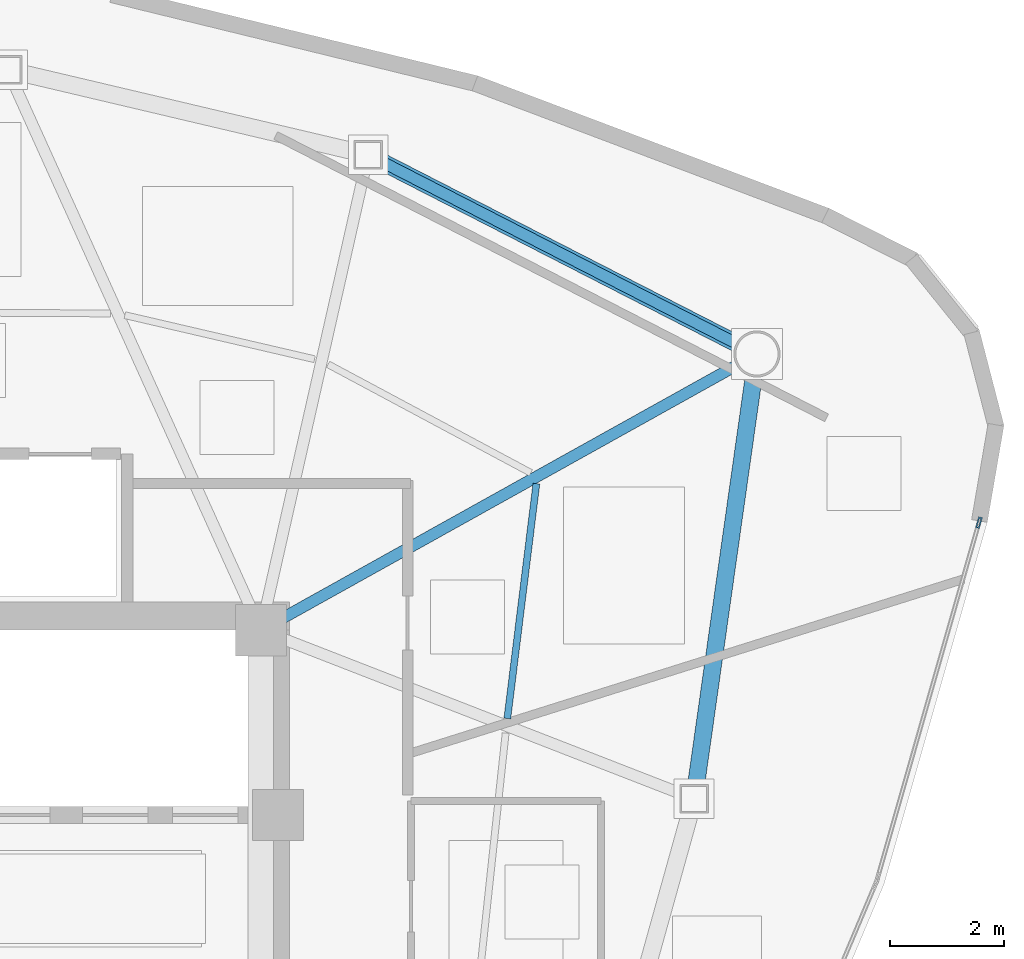
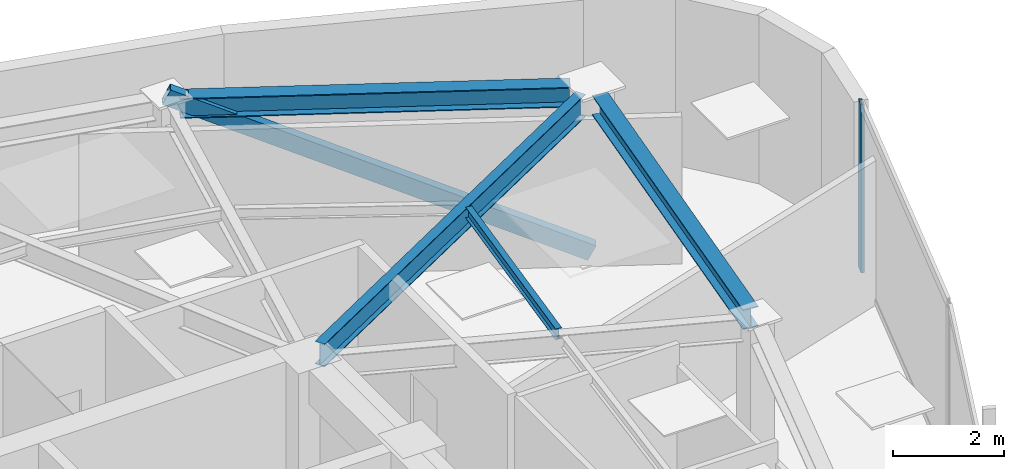
# One storey, part 6 of 12: 4 beams, 2 members, 1 element without a shape of its own.
"""IFC4 building model written with IfcOpenShell, lengths in metres."""

from ifc_helpers import new_model, si_unit, direction, frame, origin, origin_2d, place, context, subcontext, project, spatial, hollow_rectangle, i_section, extrude, source, transform, mapped, material, layer, layer_set, material_profile, profile_set, type_object, type_shapes, element, aggregate, save


model = new_model("IFC4")

# Units and contexts
model_context = context("Model", 3, precision=1e-05, world=origin(), true_north=direction((0.0, 1.0)))
body_context = subcontext(model_context, "Body", "Model", "MODEL_VIEW")
ifc_project = project(units=[si_unit("LENGTHUNIT", "METRE"), si_unit("AREAUNIT", "SQUARE_METRE"), si_unit("VOLUMEUNIT", "CUBIC_METRE"), si_unit("PLANEANGLEUNIT", "RADIAN"), si_unit("MASSUNIT", "GRAM", prefix="KILO")], contexts=[model_context])

# Site, building, storey
site_placement = place(None, origin())
site = spatial("IfcSite", under=ifc_project, at=site_placement, CompositionType="ELEMENT")
building_placement = place(site_placement, origin())
building = spatial("IfcBuilding", under=site, at=building_placement, Name="Tavelor Broadcast Tower", CompositionType="ELEMENT")
storey_placement = place(building_placement, frame((0.0, 0.0, 281.5)))
storey = spatial("IfcBuildingStorey", under=building, at=storey_placement, Name="L67", CompositionType="ELEMENT", Elevation=281.5)

# Beams
ifc_material_1 = material(Name="Steel S355", Category="steel")
ifc_material_profile_1 = material_profile(ifc_material_1, i_section(OverallWidth=0.1201171875, OverallDepth=0.239990234375, WebThickness=0.006103515625, FlangeThickness=0.009765625, at=origin_2d()), Name="IPE 240")
ifc_profile_set_1 = profile_set([ifc_material_profile_1], Name="Steel S355")
beam_type_1 = type_object("IfcBeamType", Name="Composite Floor Joist T7 IPE 240", PredefinedType="JOIST", material=ifc_profile_set_1)
beam_1_placement = place(storey_placement, frame((60.931884765625, 49.648681640625, 3.580078125), z_axis=(0.12271283089, 0.992442220552, 0.0), x_axis=(-0.992442220552, 0.12271283089, 0.0)))
element("IfcBeam", 1, at=beam_1_placement, inside=storey, type_object=beam_type_1, Name="L67 Secondary Composite Floor Joist 12", PredefinedType="JOIST", context=body_context, shape_type="SweptSolid", body=[
    extrude(i_section(OverallWidth=0.1201171875, OverallDepth=0.239990234375, WebThickness=0.006103515625, FlangeThickness=0.009765625, at=origin_2d()), origin(), (0.0, 0.0, 1.0), 4.16015625),
])
ifc_material_profile_2 = material_profile(ifc_material_1, i_section(OverallWidth=0.300048828125, OverallDepth=0.43994140625, WebThickness=0.011474609375, FlangeThickness=0.02099609375, at=origin_2d()), Name="HEA 450")
ifc_profile_set_2 = profile_set([ifc_material_profile_2], Name="Steel S355")
beam_type_2 = type_object("IfcBeamType", Name="Perimeter Spandrel Beam T7 HEA 450", PredefinedType="SPANDREL", material=ifc_profile_set_2)
beam_2_placement = place(storey_placement, frame((64.248046875, 48.47509765625, 3.47998046875), z_axis=(0.139953453654, 0.990158083747, 0.0), x_axis=(-0.990158083747, 0.139953453654, 0.0)))
element("IfcBeam", 2, at=beam_2_placement, inside=storey, type_object=beam_type_2, Name="L67 Framed-Tube Ring Spandrel 12", PredefinedType="SPANDREL", context=body_context, shape_type="SweptSolid", body=[
    extrude(i_section(OverallWidth=0.300048828125, OverallDepth=0.43994140625, WebThickness=0.011474609375, FlangeThickness=0.02099609375, at=origin_2d()), origin(), (0.0, 0.0, 1.0), 7.265625),
])
beam_3_placement = place(storey_placement, frame((64.97216796875, 56.2333984375, 3.47998046875), z_axis=(-0.889963826526, 0.456031125556, 0.0), x_axis=(-0.456031125556, -0.889963826526, 0.0)))
element("IfcBeam", 3, at=beam_3_placement, inside=storey, type_object=beam_type_2, Name="L67 Framed-Tube Ring Spandrel 13", PredefinedType="SPANDREL", context=body_context, shape_type="SweptSolid", body=[
    extrude(i_section(OverallWidth=0.300048828125, OverallDepth=0.43994140625, WebThickness=0.011474609375, FlangeThickness=0.02099609375, at=origin_2d()), origin(), (0.0, 0.0, 1.0), 7.048583984375),
])

# Member
ifc_material_profile_3 = material_profile(ifc_material_1, hollow_rectangle(XDim=0.199951171875, YDim=0.35009765625, WallThickness=0.01611328125, at=origin_2d()), Name="RHS 350x200x16")
ifc_profile_set_3 = profile_set([ifc_material_profile_3], Name="Steel S355")
member_type_1 = type_object("IfcMemberType", Name="Perimeter Tube Brace T7 RHS 350x200x16", PredefinedType="BRACE", material=ifc_profile_set_3)
member_1_placement = place(storey_placement, frame((65.319580078125, 56.0556640625, 0.0), z_axis=(-0.801763897696, 0.410792291396, 0.434078732123), x_axis=(-0.455992584505, -0.889983574498, 0.0)))
element("IfcMember", 4, at=member_1_placement, inside=storey, type_object=member_type_1, Name="L67 Corner Tube Diagonal Brace 3", PredefinedType="BRACE", context=body_context, shape_type="SweptSolid", body=[
    extrude(hollow_rectangle(XDim=0.199951171875, YDim=0.35009765625, WallThickness=0.01611328125, at=origin_2d()), origin(), (0.0, 0.0, 1.0), 8.523681640625),
])

# Beam
ifc_material_profile_4 = material_profile(ifc_material_1, i_section(OverallWidth=0.199951171875, OverallDepth=0.5, WebThickness=0.01025390625, FlangeThickness=0.01611328125, at=origin_2d()), Name="IPE 500")
ifc_profile_set_4 = profile_set([ifc_material_profile_4], Name="Steel S355")
beam_type_3 = type_object("IfcBeamType", Name="Radial Floor Girder T7 IPE 500", PredefinedType="BEAM", material=ifc_profile_set_4)
beam_4_placement = place(storey_placement, frame((56.977294921875, 51.41015625, 3.449951171875), z_axis=(0.873672716844, 0.486514114741, 0.0), x_axis=(-0.486514114741, 0.873672716844, 0.0)))
element("IfcBeam", 5, at=beam_4_placement, inside=storey, type_object=beam_type_3, Name="L67 Radial Primary Floor Girder 13", PredefinedType="BEAM", context=body_context, shape_type="SweptSolid", body=[
    extrude(i_section(OverallWidth=0.199951171875, OverallDepth=0.5, WebThickness=0.01025390625, FlangeThickness=0.01611328125, at=origin_2d()), origin(), (0.0, 0.0, 1.0), 9.158203125),
])

# Curtain wall, member
ifc_material_2 = material(Name="Architectural Anodized Aluminium", Category="aluminium")
ifc_layer = layer(ifc_material_2, 0.199951171875)
ifc_layer_set = layer_set([ifc_layer], Name="Architectural Anodized Aluminium")
curtain_wall_type = type_object("IfcCurtainWallType", Name="Tower High-Zone Triple-Glazed Curtain Wall CW04", PredefinedType="NOTDEFINED", material=ifc_layer_set)
curtain_wall_placement = place(storey_placement, origin())
curtain_wall = element("IfcCurtainWall", 6, at=curtain_wall_placement, inside=storey, type_object=curtain_wall_type, Name="L67 Curtain Wall CW04 Run 740", PredefinedType="NOTDEFINED")
ifc_material_profile_5 = material_profile(ifc_material_2, hollow_rectangle(XDim=0.070068359375, YDim=0.199951171875, WallThickness=0.02197265625, at=origin_2d()), Name="RHS 70x200x22")
ifc_profile_set_5 = profile_set([ifc_material_profile_5], Name="Architectural Anodized Aluminium")
member_type_2 = type_object("IfcMemberType", Name="CW04 Extruded Aluminium Mullion 70x200", PredefinedType="MULLION", material=ifc_profile_set_5)
shared_shape = source(origin(), body_context, "Body", "SweptSolid", [
    extrude(hollow_rectangle(XDim=0.070068359375, YDim=0.199951171875, WallThickness=0.02197265625, at=origin_2d()), origin(), (0.0, 0.0, 1.0), 3.699951171875),
])
type_shapes(member_type_2, [shared_shape])
member_2_placement = place(storey_placement, frame((69.2216796875, 53.091064453125, 0.0), z_axis=(0.0, 0.0, 1.0), x_axis=(-0.96163016721, 0.274349086952, 0.0)))
member_2 = element("IfcMember", 7, at=member_2_placement, type_object=member_type_2, Name="CW04 mullion 2", PredefinedType="MULLION", context=body_context, shape_type="MappedRepresentation", body=[
    mapped(shared_shape, transform((0.0, 0.0, 0.0), scale=1.0)),
])
aggregate(curtain_wall, [member_2])

save(model, "model.ifc")
